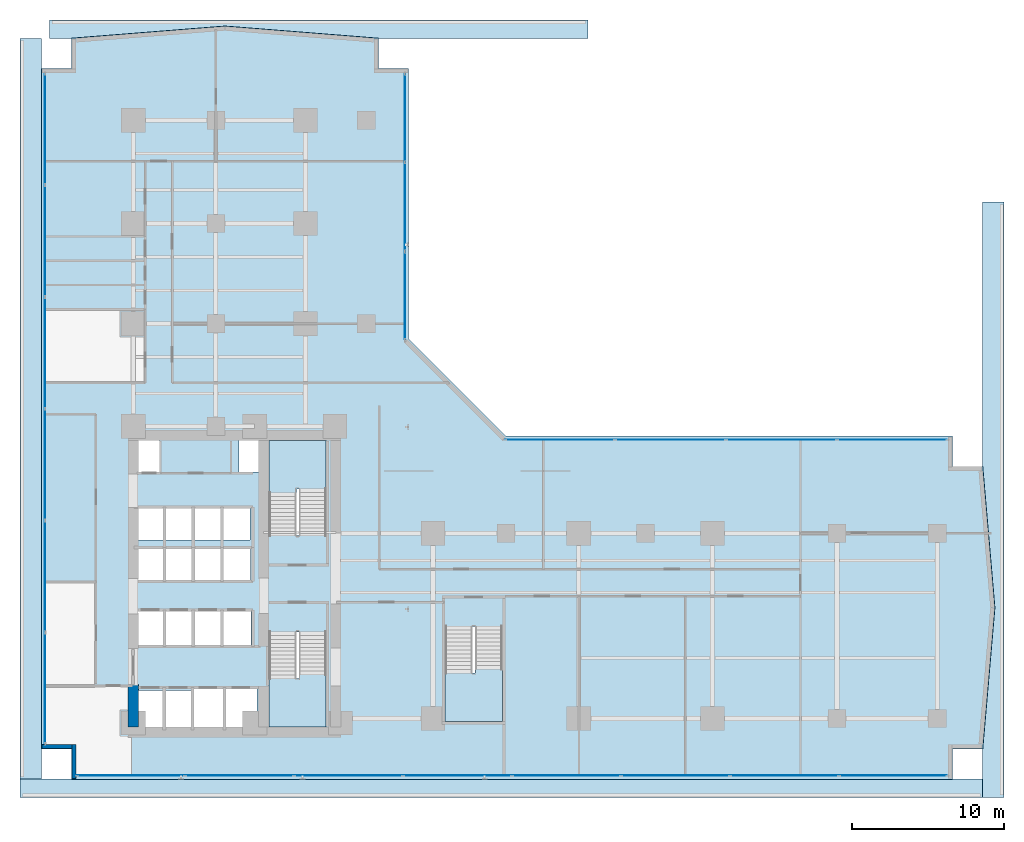
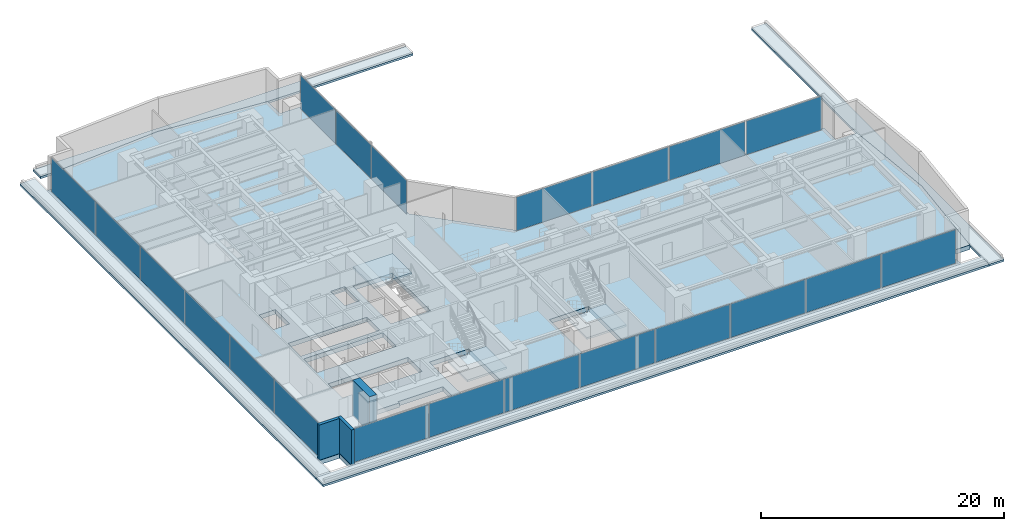
# One storey, part 20 of 29: 21 plates, 8 slabs, 3 walls, 7 elements without a shape of their own.
"""IFC4 building model written with IfcOpenShell, lengths in metres."""

from ifc_helpers import new_model, si_unit, direction, frame, frame_2d, origin, origin_with_axes, origin_2d, place, context, subcontext, project, spatial, polyline, rectangle, outline, extrude, source, transform, mapped, material, layer, layer_set, type_object, element, aggregate, save


model = new_model("IFC4")

# Units and contexts
model_context = context("Model", 3, precision=1e-05, world=origin(), true_north=direction((0.0, 1.0)))
body_context = subcontext(model_context, "Body", "Model", "MODEL_VIEW")
ifc_project = project(units=[si_unit("LENGTHUNIT", "METRE"), si_unit("AREAUNIT", "SQUARE_METRE"), si_unit("VOLUMEUNIT", "CUBIC_METRE"), si_unit("PLANEANGLEUNIT", "RADIAN"), si_unit("MASSUNIT", "GRAM", prefix="KILO")], contexts=[model_context])

# Site, building, storey
site_placement = place(None, origin())
site = spatial("IfcSite", under=ifc_project, at=site_placement, CompositionType="ELEMENT")
building_placement = place(site_placement, origin())
building = spatial("IfcBuilding", under=site, at=building_placement, Name="Kolvaren Waterfront Exchange", CompositionType="ELEMENT")
storey_placement = place(building_placement, frame((0.0, 0.0, 29.60009765625)))
storey = spatial("IfcBuildingStorey", under=building, at=storey_placement, Name="L07", CompositionType="ELEMENT", Elevation=29.60009765625)

# Slabs
ifc_material_1 = material(Name="Precast concrete C40/50", Category="concrete")
ifc_layer_1 = layer(ifc_material_1, 0.2099609375, Name="Precast concrete C40/50")
ifc_layer_set_1 = layer_set([ifc_layer_1], Name="Precast concrete C40/50")
slab_type_1 = type_object("IfcSlabType", Name="STR-CANOPY-210", PredefinedType="ROOF", material=ifc_layer_set_1)
slab_1_placement = place(storey_placement, frame((0.0, 0.0, -0.210205078125)))
element("IfcSlab", 1, at=slab_1_placement, inside=storey, type_object=slab_type_1, Name="L07 east setback roof ledge 1", PredefinedType="ROOF", context=body_context, shape_type="SweptSolid", body=[
    extrude(outline(polyline([(64.800048828125, 39.199951171875), (64.800048828125, 0.0), (63.389892578125, 0.0), (63.389892578125, 3.199951171875), (63.39990234375, 3.199951171875), (64.199951171875, 12.5), (63.39990234375, 21.800048828125), (63.389892578125, 21.800048828125), (63.389892578125, 39.199951171875), (64.800048828125, 39.199951171875)])), origin(), (0.0, 0.0, 1.0), 0.210205078125),
])
slab_2_placement = place(storey_placement, frame((0.0, 0.0, -0.210205078125)))
element("IfcSlab", 2, at=slab_2_placement, inside=storey, type_object=slab_type_1, Name="L07 north setback roof ledge 2", PredefinedType="ROOF", context=body_context, shape_type="SweptSolid", body=[
    extrude(outline(polyline([(37.39990234375, 51.199951171875), (37.39990234375, 49.989990234375), (23.60009765625, 49.989990234375), (23.60009765625, 50.0), (13.5, 50.800048828125), (3.39990234375, 50.0), (3.39990234375, 49.989990234375), (1.949951171875, 49.989990234375), (1.949951171875, 51.199951171875), (37.39990234375, 51.199951171875)])), origin(), (0.0, 0.0, 1.0), 0.210205078125),
])
slab_3_placement = place(storey_placement, frame((0.0, 0.0, -0.210205078125)))
element("IfcSlab", 3, at=slab_3_placement, inside=storey, type_object=slab_type_1, Name="L07 south setback roof ledge 3", PredefinedType="ROOF", context=body_context, shape_type="SweptSolid", body=[
    extrude(outline(polyline([(0.0, 0.0), (0.0, 1.2099609375), (3.39990234375, 1.2099609375), (3.39990234375, 1.199951171875), (61.39990234375, 1.199951171875), (61.39990234375, 1.2099609375), (63.389892578125, 1.2099609375), (63.389892578125, 0.0), (0.0, 0.0)])), origin(), (0.0, 0.0, 1.0), 0.210205078125),
])
slab_4_placement = place(storey_placement, frame((0.0, 0.0, -0.210205078125)))
element("IfcSlab", 4, at=slab_4_placement, inside=storey, type_object=slab_type_1, Name="L07 west setback roof ledge 4", PredefinedType="ROOF", context=body_context, shape_type="SweptSolid", body=[
    extrude(outline(polyline([(0.0, 49.989990234375), (1.409912109375, 49.989990234375), (1.409912109375, 48.0), (1.39990234375, 48.0), (1.39990234375, 3.199951171875), (1.409912109375, 3.199951171875), (1.409912109375, 1.2099609375), (0.0, 1.2099609375), (0.0, 49.989990234375)])), origin(), (0.0, 0.0, 1.0), 0.210205078125),
])

# Stair, slab
ifc_material_2 = material(Name="Concrete C40/50", Category="concrete")
stair_type = type_object("IfcStairType", Name="ARC-STAIR-3800", PredefinedType="HALF_TURN_STAIR", material=ifc_material_2)
stair_1_placement = place(storey_placement, origin())
stair_1 = element("IfcStair", 5, at=stair_1_placement, inside=storey, type_object=stair_type, Name="L07 Smoke-proof exit stair ST1", PredefinedType="HALF_TURN_STAIR")
ifc_layer_2 = layer(ifc_material_2, 0.199951171875, Name="Concrete C40/50")
ifc_layer_set_2 = layer_set([ifc_layer_2], Name="Concrete C40/50")
slab_type_2 = type_object("IfcSlabType", Name="STR-LANDING-200", PredefinedType="LANDING", material=ifc_layer_set_2)
slab_5_placement = place(storey_placement, frame((0.0, 0.0, 1.77587890625)))
slab_5 = element("IfcSlab", 6, at=slab_5_placement, type_object=slab_type_2, Name="ST1 landing 1", PredefinedType="LANDING", context=body_context, shape_type="SweptSolid", body=[
    extrude(outline(polyline([(16.39990234375, 7.840087890625), (16.39990234375, 4.64990234375), (20.159912109375, 4.64990234375), (20.159912109375, 8.10009765625), (18.360107421875, 8.10009765625), (18.360107421875, 7.840087890625), (16.39990234375, 7.840087890625)])), origin(), (0.0, 0.0, 1.0), 0.199951171875),
])
aggregate(stair_1, [slab_5])

stair_2_placement = place(storey_placement, origin())
stair_2 = element("IfcStair", 7, at=stair_2_placement, inside=storey, type_object=stair_type, Name="L07 Smoke-proof exit stair ST2", PredefinedType="HALF_TURN_STAIR")
slab_6_placement = place(storey_placement, frame((0.0, 0.0, 1.77587890625)))
slab_6 = element("IfcSlab", 8, at=slab_6_placement, type_object=slab_type_2, Name="ST2 landing 1", PredefinedType="LANDING", context=body_context, shape_type="SweptSolid", body=[
    extrude(outline(polyline([(20.159912109375, 20.31005859375), (20.159912109375, 23.5), (16.39990234375, 23.5), (16.39990234375, 20.050048828125), (18.199951171875, 20.050048828125), (18.199951171875, 20.31005859375), (20.159912109375, 20.31005859375)])), origin(), (0.0, 0.0, 1.0), 0.199951171875),
])
aggregate(stair_2, [slab_6])

stair_3_placement = place(storey_placement, origin())
stair_3 = element("IfcStair", 9, at=stair_3_placement, inside=storey, type_object=stair_type, Name="L07 Exit stair ST3", PredefinedType="HALF_TURN_STAIR")
slab_7_placement = place(storey_placement, frame((0.0, 0.0, 1.77587890625)))
slab_7 = element("IfcSlab", 10, at=slab_7_placement, type_object=slab_type_2, Name="ST3 landing 1", PredefinedType="LANDING", context=body_context, shape_type="SweptSolid", body=[
    extrude(outline(polyline([(28.0, 8.18994140625), (28.0, 5.0), (31.760009765625, 5.0), (31.760009765625, 8.449951171875), (29.9599609375, 8.449951171875), (29.9599609375, 8.18994140625), (28.0, 8.18994140625)])), origin(), (0.0, 0.0, 1.0), 0.199951171875),
])
aggregate(stair_3, [slab_7])

# Slab
ifc_layer_3 = layer(ifc_material_2, 0.449951171875, Name="Concrete C40/50")
ifc_layer_set_3 = layer_set([ifc_layer_3], Name="Concrete C40/50")
slab_type_3 = type_object("IfcSlabType", Name="STR-SLAB-450", PredefinedType="FLOOR", material=ifc_layer_set_3)
slab_8_placement = place(storey_placement, frame((0.0, 0.0, -0.4501953125)))
element("IfcSlab", 11, at=slab_8_placement, inside=storey, type_object=slab_type_3, Name="L07 structural floor slab", PredefinedType="FLOOR", context=body_context, shape_type="SweptSolid", body=[
    extrude(outline(polyline([(3.39990234375, 1.199951171875), (61.39990234375, 1.199951171875), (61.39990234375, 3.199951171875), (63.39990234375, 3.199951171875), (64.199951171875, 12.5), (63.39990234375, 21.800048828125), (61.39990234375, 21.800048828125), (61.39990234375, 23.800048828125), (32.0, 23.800048828125), (25.60009765625, 30.199951171875), (25.60009765625, 48.0), (23.60009765625, 48.0), (23.60009765625, 50.0), (13.5, 50.800048828125), (3.39990234375, 50.0), (3.39990234375, 48.0), (1.39990234375, 48.0), (1.39990234375, 3.199951171875), (3.39990234375, 3.199951171875), (3.39990234375, 1.199951171875)]), holes=[polyline([(11.320068359375, 7.260009765625), (15.610107421875, 7.260009765625), (15.610107421875, 4.5400390625), (7.719970703125, 4.5400390625), (7.719970703125, 7.06005859375), (11.320068359375, 7.06005859375), (11.320068359375, 7.260009765625)]), polyline([(20.159912109375, 4.64990234375), (16.39990234375, 4.64990234375), (16.39990234375, 10.89990234375), (20.159912109375, 10.89990234375), (20.159912109375, 4.64990234375)]), polyline([(31.760009765625, 5.0), (28.0, 5.0), (28.0, 11.25), (31.760009765625, 11.25), (31.760009765625, 5.0)]), polyline([(15.2099609375, 10.0400390625), (7.6201171875, 10.0400390625), (7.6201171875, 12.360107421875), (15.2099609375, 12.360107421875), (15.2099609375, 10.0400390625)]), polyline([(7.64501953125, 16.4599609375), (15.18505859375, 16.4599609375), (15.18505859375, 14.239990234375), (7.64501953125, 14.239990234375), (7.64501953125, 16.4599609375)]), polyline([(15.159912109375, 16.93994140625), (7.669921875, 16.93994140625), (7.669921875, 19.06005859375), (15.159912109375, 19.06005859375), (15.159912109375, 16.93994140625)]), polyline([(16.39990234375, 23.5), (20.159912109375, 23.5), (20.159912109375, 17.25), (16.39990234375, 17.25), (16.39990234375, 23.5)]), polyline([(7.60009765625, 23.780029296875), (9.179931640625, 23.780029296875), (9.179931640625, 21.419921875), (7.60009765625, 21.419921875), (7.60009765625, 23.780029296875)]), polyline([(15.800048828125, 23.780029296875), (15.800048828125, 21.419921875), (14.419921875, 21.419921875), (14.419921875, 23.780029296875), (15.800048828125, 23.780029296875)])]), origin(), (0.0, 0.0, 1.0), 0.4501953125),
])

# Curtain wall, plates
ifc_material_3 = material(Name="Anodised bronze aluminium 6063-T6", Category="aluminium")
ifc_layer_4 = layer(ifc_material_3, 0.219970703125, Name="Anodised bronze aluminium 6063-T6")
ifc_layer_set_4 = layer_set([ifc_layer_4], Name="Anodised bronze aluminium 6063-T6")
curtain_wall_type_1 = type_object("IfcCurtainWallType", Name="ARC-CW-SYS1", PredefinedType="USERDEFINED", material=ifc_layer_set_4)
curtain_wall_1_placement = place(storey_placement, origin())
curtain_wall_1 = element("IfcCurtainWall", 12, at=curtain_wall_1_placement, inside=storey, type_object=curtain_wall_type_1, Name="L07 stick curtain wall CW1 (CW-L07-S)", ObjectType="STICK CURTAIN WALL", PredefinedType="USERDEFINED")
ifc_material_4 = material(Name="Bronze solar control vision glass", Category="aluminium")
ifc_layer_5 = layer(ifc_material_4, 0.028076171875, Name="Bronze solar control vision glass")
ifc_layer_set_5 = layer_set([ifc_layer_5], Name="Bronze solar control vision glass")
plate_type_1 = type_object("IfcPlateType", Name="ARC-CWP-28", PredefinedType="CURTAIN_PANEL", material=ifc_layer_set_5)
shared_shape_1 = source(origin_with_axes(), body_context, "Body", "SweptSolid", [
    extrude(rectangle(XDim=7.054931640625, YDim=0.028076171875, at=origin_2d()), origin(), (0.0, 0.0, 1.0), 3.389892578125),
])
plate_1_placement = place(storey_placement, frame((7.3076171875, 1.43994140625, 0.0751953125), z_axis=(0.0, 0.0, 1.0), x_axis=(1.0, 0.0, 0.0)))
plate_1 = element("IfcPlate", 13, at=plate_1_placement, type_object=plate_type_1, Name="CW1 panel 1.1", PredefinedType="CURTAIN_PANEL", context=body_context, shape_type="MappedRepresentation", body=[
    mapped(shared_shape_1, transform((0.0, 0.0, 0.0), x_axis=(1.0, 0.0, 0.0), y_axis=(0.0, 1.0, 0.0), z_axis=(0.0, 0.0, 1.0), scale=1.0)),
])
plate_2_placement = place(storey_placement, frame((57.492431640625, 1.43994140625, 0.0751953125), z_axis=(0.0, 0.0, 1.0), x_axis=(1.0, 0.0, 0.0)))
plate_2 = element("IfcPlate", 14, at=plate_2_placement, type_object=plate_type_1, Name="CW1 panel 8.1", PredefinedType="CURTAIN_PANEL", context=body_context, shape_type="MappedRepresentation", body=[
    mapped(shared_shape_1, transform((0.0, 0.0, 0.0), x_axis=(1.0, 0.0, 0.0), y_axis=(0.0, 1.0, 0.0), z_axis=(0.0, 0.0, 1.0), scale=1.0)),
])
shared_shape_2 = source(origin_with_axes(), body_context, "Body", "SweptSolid", [
    extrude(rectangle(XDim=7.094970703125, YDim=0.028076171875, at=origin_2d()), origin(), (0.0, 0.0, 1.0), 3.389892578125),
])
plate_3_placement = place(storey_placement, frame((14.46240234375, 1.43994140625, 0.0751953125), z_axis=(0.0, 0.0, 1.0), x_axis=(1.0, 0.0, 0.0)))
plate_3 = element("IfcPlate", 15, at=plate_3_placement, type_object=plate_type_1, Name="CW1 panel 2.1", PredefinedType="CURTAIN_PANEL", context=body_context, shape_type="MappedRepresentation", body=[
    mapped(shared_shape_2, transform((0.0, 0.0, 0.0), x_axis=(1.0, 0.0, 0.0), y_axis=(0.0, 1.0, 0.0), z_axis=(0.0, 0.0, 1.0), scale=1.0)),
])
plate_4_placement = place(storey_placement, frame((21.637451171875, 1.43994140625, 0.0751953125), z_axis=(0.0, 0.0, 1.0), x_axis=(1.0, 0.0, 0.0)))
plate_4 = element("IfcPlate", 16, at=plate_4_placement, type_object=plate_type_1, Name="CW1 panel 3.1", PredefinedType="CURTAIN_PANEL", context=body_context, shape_type="MappedRepresentation", body=[
    mapped(shared_shape_2, transform((0.0, 0.0, 0.0), x_axis=(1.0, 0.0, 0.0), y_axis=(0.0, 1.0, 0.0), z_axis=(0.0, 0.0, 1.0), scale=1.0)),
])
plate_5_placement = place(storey_placement, frame((28.8125, 1.43994140625, 0.0751953125), z_axis=(0.0, 0.0, 1.0), x_axis=(1.0, 0.0, 0.0)))
plate_5 = element("IfcPlate", 17, at=plate_5_placement, type_object=plate_type_1, Name="CW1 panel 4.1", PredefinedType="CURTAIN_PANEL", context=body_context, shape_type="MappedRepresentation", body=[
    mapped(shared_shape_2, transform((0.0, 0.0, 0.0), x_axis=(1.0, 0.0, 0.0), y_axis=(0.0, 1.0, 0.0), z_axis=(0.0, 0.0, 1.0), scale=1.0)),
])
plate_6_placement = place(storey_placement, frame((35.987548828125, 1.43994140625, 0.0751953125), z_axis=(0.0, 0.0, 1.0), x_axis=(1.0, 0.0, 0.0)))
plate_6 = element("IfcPlate", 18, at=plate_6_placement, type_object=plate_type_1, Name="CW1 panel 5.1", PredefinedType="CURTAIN_PANEL", context=body_context, shape_type="MappedRepresentation", body=[
    mapped(shared_shape_2, transform((0.0, 0.0, 0.0), x_axis=(1.0, 0.0, 0.0), y_axis=(0.0, 1.0, 0.0), z_axis=(0.0, 0.0, 1.0), scale=1.0)),
])
plate_7_placement = place(storey_placement, frame((43.16259765625, 1.43994140625, 0.0751953125), z_axis=(0.0, 0.0, 1.0), x_axis=(1.0, 0.0, 0.0)))
plate_7 = element("IfcPlate", 19, at=plate_7_placement, type_object=plate_type_1, Name="CW1 panel 6.1", PredefinedType="CURTAIN_PANEL", context=body_context, shape_type="MappedRepresentation", body=[
    mapped(shared_shape_2, transform((0.0, 0.0, 0.0), x_axis=(1.0, 0.0, 0.0), y_axis=(0.0, 1.0, 0.0), z_axis=(0.0, 0.0, 1.0), scale=1.0)),
])
plate_8_placement = place(storey_placement, frame((50.33740234375, 1.43994140625, 0.0751953125), z_axis=(0.0, 0.0, 1.0), x_axis=(1.0, 0.0, 0.0)))
plate_8 = element("IfcPlate", 20, at=plate_8_placement, type_object=plate_type_1, Name="CW1 panel 7.1", PredefinedType="CURTAIN_PANEL", context=body_context, shape_type="MappedRepresentation", body=[
    mapped(shared_shape_2, transform((0.0, 0.0, 0.0), x_axis=(1.0, 0.0, 0.0), y_axis=(0.0, 1.0, 0.0), z_axis=(0.0, 0.0, 1.0), scale=1.0)),
])
aggregate(curtain_wall_1, [plate_1, plate_3, plate_4, plate_5, plate_6, plate_7, plate_8, plate_2])

ifc_material_5 = material(Name="Anodised aluminium 6063-T6", Category="aluminium")
ifc_layer_6 = layer(ifc_material_5, 0.219970703125, Name="Anodised aluminium 6063-T6")
ifc_layer_set_6 = layer_set([ifc_layer_6], Name="Anodised aluminium 6063-T6")
curtain_wall_type_2 = type_object("IfcCurtainWallType", Name="ARC-CW-SYS2", PredefinedType="USERDEFINED", material=ifc_layer_set_6)
curtain_wall_2_placement = place(storey_placement, origin())
curtain_wall_2 = element("IfcCurtainWall", 21, at=curtain_wall_2_placement, inside=storey, type_object=curtain_wall_type_2, Name="L07 stick curtain wall CW2 (CW-L07-W)", ObjectType="STICK CURTAIN WALL", PredefinedType="USERDEFINED")
ifc_material_6 = material(Name="Acoustic laminated vision glass", Category="glass")
ifc_layer_7 = layer(ifc_material_6, 0.031982421875, Name="Acoustic laminated vision glass")
ifc_layer_set_7 = layer_set([ifc_layer_7], Name="Acoustic laminated vision glass")
plate_type_2 = type_object("IfcPlateType", Name="ARC-CWP-32", PredefinedType="CURTAIN_PANEL", material=ifc_layer_set_7)
shared_shape_3 = source(origin_with_axes(), body_context, "Body", "SweptSolid", [
    extrude(rectangle(XDim=7.24658203125, YDim=0.031982421875, at=origin_2d()), origin(), (0.0, 0.0, 1.0), 3.389892578125),
])
plate_9_placement = place(storey_placement, frame((1.639892578125, 7.203369140625, 0.0751953125), z_axis=(0.0, 0.0, 1.0), x_axis=(0.0, 1.0, 0.0)))
plate_9 = element("IfcPlate", 22, at=plate_9_placement, type_object=plate_type_2, Name="CW2 panel 1.1", PredefinedType="CURTAIN_PANEL", context=body_context, shape_type="MappedRepresentation", body=[
    mapped(shared_shape_3, transform((0.0, 0.0, 0.0), x_axis=(1.0, 0.0, 0.0), y_axis=(0.0, 1.0, 0.0), z_axis=(0.0, 0.0, 1.0), scale=1.0)),
])
plate_10_placement = place(storey_placement, frame((1.639892578125, 43.99658203125, 0.0751953125), z_axis=(0.0, 0.0, 1.0), x_axis=(0.0, 1.0, 0.0)))
plate_10 = element("IfcPlate", 23, at=plate_10_placement, type_object=plate_type_2, Name="CW2 panel 6.1", PredefinedType="CURTAIN_PANEL", context=body_context, shape_type="MappedRepresentation", body=[
    mapped(shared_shape_3, transform((0.0, 0.0, 0.0), x_axis=(1.0, 0.0, 0.0), y_axis=(0.0, 1.0, 0.0), z_axis=(0.0, 0.0, 1.0), scale=1.0)),
])
shared_shape_4 = source(origin_with_axes(), body_context, "Body", "SweptSolid", [
    extrude(rectangle(XDim=7.28662109375, YDim=0.031982421875, at=origin_2d()), origin(), (0.0, 0.0, 1.0), 3.389892578125),
])
plate_11_placement = place(storey_placement, frame((1.639892578125, 14.550048828125, 0.0751953125), z_axis=(0.0, 0.0, 1.0), x_axis=(0.0, 1.0, 0.0)))
plate_11 = element("IfcPlate", 24, at=plate_11_placement, type_object=plate_type_2, Name="CW2 panel 2.1", PredefinedType="CURTAIN_PANEL", context=body_context, shape_type="MappedRepresentation", body=[
    mapped(shared_shape_4, transform((0.0, 0.0, 0.0), x_axis=(1.0, 0.0, 0.0), y_axis=(0.0, 1.0, 0.0), z_axis=(0.0, 0.0, 1.0), scale=1.0)),
])
plate_12_placement = place(storey_placement, frame((1.639892578125, 21.916748046875, 0.0751953125), z_axis=(0.0, 0.0, 1.0), x_axis=(0.0, 1.0, 0.0)))
plate_12 = element("IfcPlate", 25, at=plate_12_placement, type_object=plate_type_2, Name="CW2 panel 3.1", PredefinedType="CURTAIN_PANEL", context=body_context, shape_type="MappedRepresentation", body=[
    mapped(shared_shape_4, transform((0.0, 0.0, 0.0), x_axis=(1.0, 0.0, 0.0), y_axis=(0.0, 1.0, 0.0), z_axis=(0.0, 0.0, 1.0), scale=1.0)),
])
plate_13_placement = place(storey_placement, frame((1.639892578125, 29.283447265625, 0.0751953125), z_axis=(0.0, 0.0, 1.0), x_axis=(0.0, 1.0, 0.0)))
plate_13 = element("IfcPlate", 26, at=plate_13_placement, type_object=plate_type_2, Name="CW2 panel 4.1", PredefinedType="CURTAIN_PANEL", context=body_context, shape_type="MappedRepresentation", body=[
    mapped(shared_shape_4, transform((0.0, 0.0, 0.0), x_axis=(1.0, 0.0, 0.0), y_axis=(0.0, 1.0, 0.0), z_axis=(0.0, 0.0, 1.0), scale=1.0)),
])
plate_14_placement = place(storey_placement, frame((1.639892578125, 36.64990234375, 0.0751953125), z_axis=(0.0, 0.0, 1.0), x_axis=(0.0, 1.0, 0.0)))
plate_14 = element("IfcPlate", 27, at=plate_14_placement, type_object=plate_type_2, Name="CW2 panel 5.1", PredefinedType="CURTAIN_PANEL", context=body_context, shape_type="MappedRepresentation", body=[
    mapped(shared_shape_4, transform((0.0, 0.0, 0.0), x_axis=(1.0, 0.0, 0.0), y_axis=(0.0, 1.0, 0.0), z_axis=(0.0, 0.0, 1.0), scale=1.0)),
])
aggregate(curtain_wall_2, [plate_9, plate_11, plate_12, plate_13, plate_14, plate_10])

curtain_wall_3_placement = place(storey_placement, origin())
curtain_wall_3 = element("IfcCurtainWall", 28, at=curtain_wall_3_placement, inside=storey, type_object=curtain_wall_type_1, Name="L07 stick curtain wall CW1 (CW-L07-NE)", ObjectType="STICK CURTAIN WALL", PredefinedType="USERDEFINED")
shared_shape_5 = source(origin_with_axes(), body_context, "Body", "SweptSolid", [
    extrude(rectangle(XDim=5.75, YDim=0.028076171875, at=origin_2d()), origin(), (0.0, 0.0, 1.0), 3.389892578125),
])
plate_15_placement = place(storey_placement, frame((25.360107421875, 33.044921875, 0.0751953125), z_axis=(0.0, 0.0, 1.0), x_axis=(0.0, 1.0, 0.0)))
plate_15 = element("IfcPlate", 29, at=plate_15_placement, type_object=plate_type_1, Name="CW1 panel 1.1", PredefinedType="CURTAIN_PANEL", context=body_context, shape_type="MappedRepresentation", body=[
    mapped(shared_shape_5, transform((0.0, 0.0, 0.0), x_axis=(1.0, 0.0, 0.0), y_axis=(0.0, 1.0, 0.0), z_axis=(0.0, 0.0, 1.0), scale=1.0)),
])
plate_16_placement = place(storey_placement, frame((25.360107421875, 44.7451171875, 0.0751953125), z_axis=(0.0, 0.0, 1.0), x_axis=(0.0, 1.0, 0.0)))
plate_16 = element("IfcPlate", 30, at=plate_16_placement, type_object=plate_type_1, Name="CW1 panel 3.1", PredefinedType="CURTAIN_PANEL", context=body_context, shape_type="MappedRepresentation", body=[
    mapped(shared_shape_5, transform((0.0, 0.0, 0.0), x_axis=(1.0, 0.0, 0.0), y_axis=(0.0, 1.0, 0.0), z_axis=(0.0, 0.0, 1.0), scale=1.0)),
])
shared_shape_6 = source(origin_with_axes(), body_context, "Body", "SweptSolid", [
    extrude(rectangle(XDim=5.7900390625, YDim=0.028076171875, at=origin_2d()), origin(), (0.0, 0.0, 1.0), 3.389892578125),
])
plate_17_placement = place(storey_placement, frame((25.360107421875, 38.89501953125, 0.0751953125), z_axis=(0.0, 0.0, 1.0), x_axis=(0.0, 1.0, 0.0)))
plate_17 = element("IfcPlate", 31, at=plate_17_placement, type_object=plate_type_1, Name="CW1 panel 2.1", PredefinedType="CURTAIN_PANEL", context=body_context, shape_type="MappedRepresentation", body=[
    mapped(shared_shape_6, transform((0.0, 0.0, 0.0), x_axis=(1.0, 0.0, 0.0), y_axis=(0.0, 1.0, 0.0), z_axis=(0.0, 0.0, 1.0), scale=1.0)),
])
aggregate(curtain_wall_3, [plate_15, plate_17, plate_16])

curtain_wall_4_placement = place(storey_placement, origin())
curtain_wall_4 = element("IfcCurtainWall", 32, at=curtain_wall_4_placement, inside=storey, type_object=curtain_wall_type_1, Name="L07 stick curtain wall CW1 (CW-L07-EN)", ObjectType="STICK CURTAIN WALL", PredefinedType="USERDEFINED")
shared_shape_7 = source(origin_with_axes(), body_context, "Body", "SweptSolid", [
    extrude(rectangle(XDim=7.1826171875, YDim=0.028076171875, at=origin_2d()), origin(), (0.0, 0.0, 1.0), 3.389892578125),
])
plate_18_placement = place(storey_placement, frame((35.561279296875, 23.56005859375, 0.0751953125), z_axis=(0.0, 0.0, 1.0), x_axis=(1.0, 0.0, 0.0)))
plate_18 = element("IfcPlate", 33, at=plate_18_placement, type_object=plate_type_1, Name="CW1 panel 1.1", PredefinedType="CURTAIN_PANEL", context=body_context, shape_type="MappedRepresentation", body=[
    mapped(shared_shape_7, transform((0.0, 0.0, 0.0), x_axis=(1.0, 0.0, 0.0), y_axis=(0.0, 1.0, 0.0), z_axis=(0.0, 0.0, 1.0), scale=1.0)),
])
plate_19_placement = place(storey_placement, frame((57.4287109375, 23.56005859375, 0.0751953125), z_axis=(0.0, 0.0, 1.0), x_axis=(1.0, 0.0, 0.0)))
plate_19 = element("IfcPlate", 34, at=plate_19_placement, type_object=plate_type_1, Name="CW1 panel 4.1", PredefinedType="CURTAIN_PANEL", context=body_context, shape_type="MappedRepresentation", body=[
    mapped(shared_shape_7, transform((0.0, 0.0, 0.0), x_axis=(1.0, 0.0, 0.0), y_axis=(0.0, 1.0, 0.0), z_axis=(0.0, 0.0, 1.0), scale=1.0)),
])
shared_shape_8 = source(origin_with_axes(), body_context, "Body", "SweptSolid", [
    extrude(rectangle(XDim=7.222412109375, YDim=0.028076171875, at=origin_2d()), origin(), (0.0, 0.0, 1.0), 3.389892578125),
])
plate_20_placement = place(storey_placement, frame((42.84375, 23.56005859375, 0.0751953125), z_axis=(0.0, 0.0, 1.0), x_axis=(1.0, 0.0, 0.0)))
plate_20 = element("IfcPlate", 35, at=plate_20_placement, type_object=plate_type_1, Name="CW1 panel 2.1", PredefinedType="CURTAIN_PANEL", context=body_context, shape_type="MappedRepresentation", body=[
    mapped(shared_shape_8, transform((0.0, 0.0, 0.0), x_axis=(1.0, 0.0, 0.0), y_axis=(0.0, 1.0, 0.0), z_axis=(0.0, 0.0, 1.0), scale=1.0)),
])
plate_21_placement = place(storey_placement, frame((50.146240234375, 23.56005859375, 0.0751953125), z_axis=(0.0, 0.0, 1.0), x_axis=(1.0, 0.0, 0.0)))
plate_21 = element("IfcPlate", 36, at=plate_21_placement, type_object=plate_type_1, Name="CW1 panel 3.1", PredefinedType="CURTAIN_PANEL", context=body_context, shape_type="MappedRepresentation", body=[
    mapped(shared_shape_8, transform((0.0, 0.0, 0.0), x_axis=(1.0, 0.0, 0.0), y_axis=(0.0, 1.0, 0.0), z_axis=(0.0, 0.0, 1.0), scale=1.0)),
])
aggregate(curtain_wall_4, [plate_18, plate_20, plate_21, plate_19])

# Walls
ifc_layer_8 = layer(ifc_material_1, 0.280029296875, Name="Precast concrete C40/50")
ifc_layer_set_8 = layer_set([ifc_layer_8], Name="Precast concrete C40/50")
wall_type_1 = type_object("IfcWallType", Name="ARC-EXT-TERR-280", PredefinedType="SOLIDWALL", material=ifc_layer_set_8)
wall_1_placement = place(storey_placement, frame((3.56005859375, 1.260009765625, 0.0), z_axis=(0.0, 0.0, 1.0), x_axis=(0.0, 1.0, 0.0)))
element("IfcWall", 37, at=wall_1_placement, inside=storey, type_object=wall_type_1, Name="L07 notched corner spandrel pier SW-A", PredefinedType="SOLIDWALL", context=body_context, shape_type="SweptSolid", body=[
    extrude(rectangle(XDim=2.239990234375, YDim=0.280029296875, at=frame_2d((1.1201171875, 0.0))), origin(), (0.0, 0.0, 1.0), 3.539794921875),
])
wall_2_placement = place(storey_placement, frame((1.4599609375, 3.360107421875, 0.0), z_axis=(0.0, 0.0, 1.0), x_axis=(1.0, 0.0, 0.0)))
element("IfcWall", 38, at=wall_2_placement, inside=storey, type_object=wall_type_1, Name="L07 notched corner spandrel pier SW-B", PredefinedType="SOLIDWALL", context=body_context, shape_type="SweptSolid", body=[
    extrude(rectangle(XDim=1.9599609375, YDim=0.280029296875, at=frame_2d((0.97998046875, 0.0))), origin(), (0.0, 0.0, 1.0), 3.539794921875),
])
ifc_material_7 = material(Name="Concrete C70/85", Category="concrete")
ifc_layer_9 = layer(ifc_material_7, 0.699951171875, Name="Concrete C70/85")
ifc_layer_set_9 = layer_set([ifc_layer_9], Name="Concrete C70/85")
wall_type_2 = type_object("IfcWallType", Name="STR-CWALL-700", PredefinedType="SHEAR", material=ifc_layer_set_9)
wall_3_placement = place(storey_placement, frame((7.449951171875, 4.64990234375, 0.0), z_axis=(0.0, 0.0, 1.0), x_axis=(0.0, 1.0, 0.0)))
element("IfcWall", 39, at=wall_3_placement, inside=storey, type_object=wall_type_2, Name="L07 rear-core shear wall W1", PredefinedType="SHEAR", context=body_context, shape_type="SweptSolid", body=[
    extrude(rectangle(XDim=2.800048828125, YDim=0.699951171875, at=frame_2d((1.39990234375, 0.0))), origin(), (0.0, 0.0, 1.0), 3.539794921875),
])

save(model, "model.ifc")
